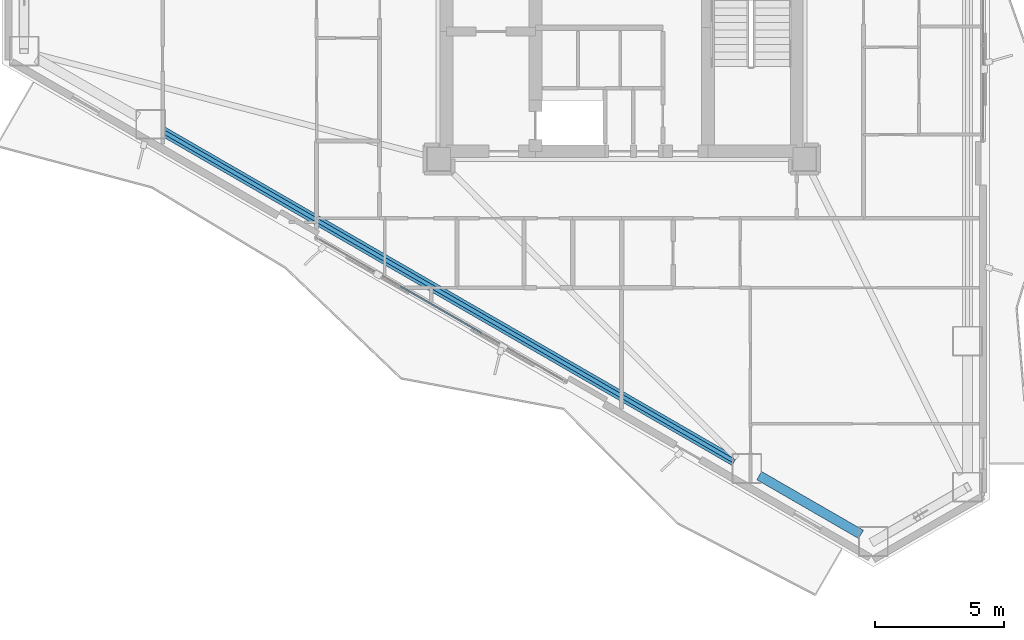
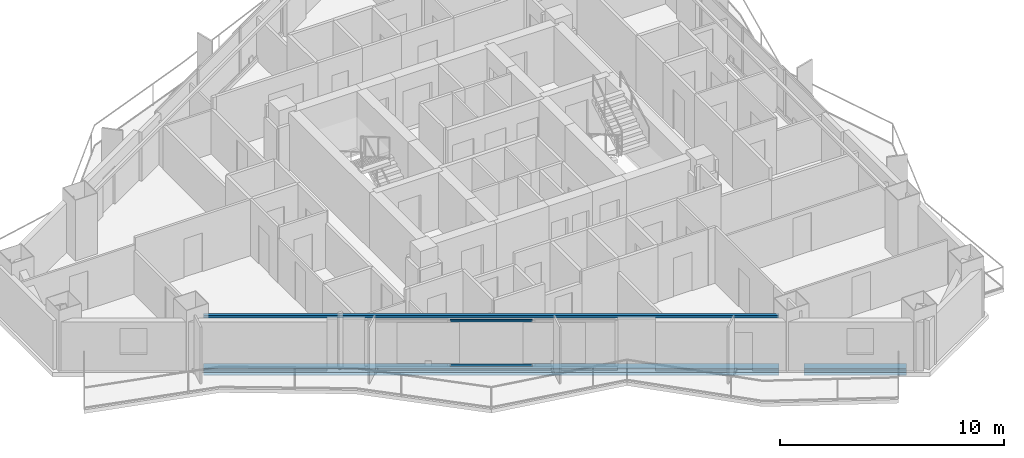
# One storey, part 3 of 23: 3 beams, 2 members, 1 element without a shape of its own.
"""IFC4 building model written with IfcOpenShell, lengths in metres."""

from ifc_helpers import new_model, si_unit, direction, frame, origin, origin_2d, place, context, subcontext, project, spatial, hollow_rectangle, i_section, extrude, material, layer, layer_set, material_profile, profile_set, type_object, element, aggregate, save


model = new_model("IFC4")

# Units and contexts
model_context = context("Model", 3, precision=1e-05, world=origin(), true_north=direction((0.0, 1.0)))
body_context = subcontext(model_context, "Body", "Model", "MODEL_VIEW")
ifc_project = project(units=[si_unit("LENGTHUNIT", "METRE"), si_unit("AREAUNIT", "SQUARE_METRE"), si_unit("VOLUMEUNIT", "CUBIC_METRE"), si_unit("PLANEANGLEUNIT", "RADIAN"), si_unit("MASSUNIT", "GRAM", prefix="KILO")], contexts=[model_context])

# Site, building, storey
site_placement = place(None, origin())
site = spatial("IfcSite", under=ifc_project, at=site_placement, CompositionType="ELEMENT")
building_placement = place(site_placement, origin())
building = spatial("IfcBuilding", under=site, at=building_placement, Name="Mersakhor Tower and Convention Hall", CompositionType="ELEMENT")
storey_placement = place(building_placement, frame((0.0, 0.0, 73.5)))
storey = spatial("IfcBuildingStorey", under=building, at=storey_placement, Name="L19", CompositionType="ELEMENT", Elevation=73.5)

# Beams
ifc_material_1 = material(Name="Steel S355", Category="steel")
ifc_material_profile_1 = material_profile(ifc_material_1, hollow_rectangle(XDim=0.14990234375, YDim=0.14990234375, WallThickness=0.010009765625, at=origin_2d()), Name="SHS 150x150x10")
ifc_profile_set_1 = profile_set([ifc_material_profile_1], Name="Steel S355")
beam_type_1 = type_object("IfcBeamType", Name="BM-GRT-SHS150", PredefinedType="USERDEFINED", material=ifc_profile_set_1)
beam_1_placement = place(storey_placement, frame((33.38232421875, 8.706787109375, 2.47998046875), z_axis=(-0.866022538643, 0.500004962538, 0.0), x_axis=(-0.500004962538, -0.866022538643, 0.0)))
element("IfcBeam", 1, at=beam_1_placement, inside=storey, type_object=beam_type_1, Name="L19 Facade Support Girt GRT-F3", ObjectType="GIRT", PredefinedType="USERDEFINED", context=body_context, shape_type="SweptSolid", body=[
    extrude(hollow_rectangle(XDim=0.14990234375, YDim=0.14990234375, WallThickness=0.010009765625, at=origin_2d()), origin(), (0.0, 0.0, 1.0), 25.633544921875),
])
ifc_material_2 = material(Name="Steel S355", Category="steel")
ifc_material_profile_2 = material_profile(ifc_material_2, i_section(OverallWidth=0.374755859375, OverallDepth=0.37451171875, WebThickness=0.0166015625, FlangeThickness=0.027099609375, at=origin_2d()), Name="UC 356x368x202")
ifc_profile_set_2 = profile_set([ifc_material_profile_2], Name="Steel S355")
beam_type_2 = type_object("IfcBeamType", Name="BM-SPD-UC356", PredefinedType="SPANDREL", material=ifc_profile_set_2)
beam_2_placement = place(storey_placement, frame((38.298095703125, 5.868896484375, -0.437255859375), z_axis=(-0.866046694585, 0.499963121439, 0.0), x_axis=(-0.499963121439, -0.866046694585, 0.0)))
element("IfcBeam", 2, at=beam_2_placement, inside=storey, type_object=beam_type_2, Name="L19 Perimeter Spandrel Beam SPB-09", PredefinedType="SPANDREL", context=body_context, shape_type="SweptSolid", body=[
    extrude(i_section(OverallWidth=0.374755859375, OverallDepth=0.37451171875, WebThickness=0.0166015625, FlangeThickness=0.027099609375, at=origin_2d()), origin(), (0.0, 0.0, 1.0), 4.566162109375),
])
beam_3_placement = place(storey_placement, frame((33.38232421875, 8.706787109375, -0.437255859375), z_axis=(-0.866022538643, 0.500004962538, 0.0), x_axis=(-0.500004962538, -0.866022538643, 0.0)))
element("IfcBeam", 3, at=beam_3_placement, inside=storey, type_object=beam_type_2, Name="L19 Perimeter Spandrel Beam SPB-10", PredefinedType="SPANDREL", context=body_context, shape_type="SweptSolid", body=[
    extrude(i_section(OverallWidth=0.374755859375, OverallDepth=0.37451171875, WebThickness=0.0166015625, FlangeThickness=0.027099609375, at=origin_2d()), origin(), (0.0, 0.0, 1.0), 25.633544921875),
])

# Curtain wall, members
ifc_material_3 = material(Name="Dark solar low-E aluminium curtain wall", Category="aluminium")
ifc_layer = layer(ifc_material_3, 0.159912109375)
ifc_layer_set = layer_set([ifc_layer], Name="Dark solar low-E aluminium curtain wall")
curtain_wall_type = type_object("IfcCurtainWallType", Name="CW-SYS-01", PredefinedType="USERDEFINED", material=ifc_layer_set)
curtain_wall_placement = place(storey_placement, origin())
curtain_wall = element("IfcCurtainWall", 4, at=curtain_wall_placement, inside=storey, type_object=curtain_wall_type, Name="L19 Dark-Glass Curtain Wall F3-B2", ObjectType="CURTAIN WALL", PredefinedType="USERDEFINED")
ifc_material_4 = material(Name="Anodised aluminium EN AW-6063 T6", Category="aluminium")
ifc_material_profile_3 = material_profile(ifc_material_4, hollow_rectangle(XDim=0.06005859375, YDim=0.1201171875, WallThickness=0.0048828125, at=origin_2d()), Name="RHS 120x60x5")
ifc_profile_set_3 = profile_set([ifc_material_profile_3], Name="Anodised aluminium EN AW-6063 T6")
member_type = type_object("IfcMemberType", Name="CWT-120x60", PredefinedType="USERDEFINED", material=ifc_profile_set_3)
member_1_placement = place(storey_placement, frame((23.571044921875, 13.6787109375, 0.22998046875), z_axis=(-0.866039286129, 0.499975954304, 0.0), x_axis=(-0.499975954304, -0.866039286129, 0.0)))
member_1 = element("IfcMember", 5, at=member_1_placement, type_object=member_type, Name="CW-01 transom 2.1", ObjectType="TRANSOM", PredefinedType="USERDEFINED", context=body_context, shape_type="SweptSolid", body=[
    extrude(hollow_rectangle(XDim=0.06005859375, YDim=0.1201171875, WallThickness=0.0048828125, at=origin_2d()), origin(), (0.0, 0.0, 1.0), 3.668212890625),
])
member_2_placement = place(storey_placement, frame((23.571044921875, 13.6787109375, 2.639892578125), z_axis=(-0.866039286129, 0.499975954304, 0.0), x_axis=(-0.499975954304, -0.866039286129, 0.0)))
member_2 = element("IfcMember", 6, at=member_2_placement, type_object=member_type, Name="CW-01 transom 2.2", ObjectType="TRANSOM", PredefinedType="USERDEFINED", context=body_context, shape_type="SweptSolid", body=[
    extrude(hollow_rectangle(XDim=0.06005859375, YDim=0.1201171875, WallThickness=0.0048828125, at=origin_2d()), origin(), (0.0, 0.0, 1.0), 3.668212890625),
])
aggregate(curtain_wall, [member_1, member_2])

save(model, "model.ifc")
